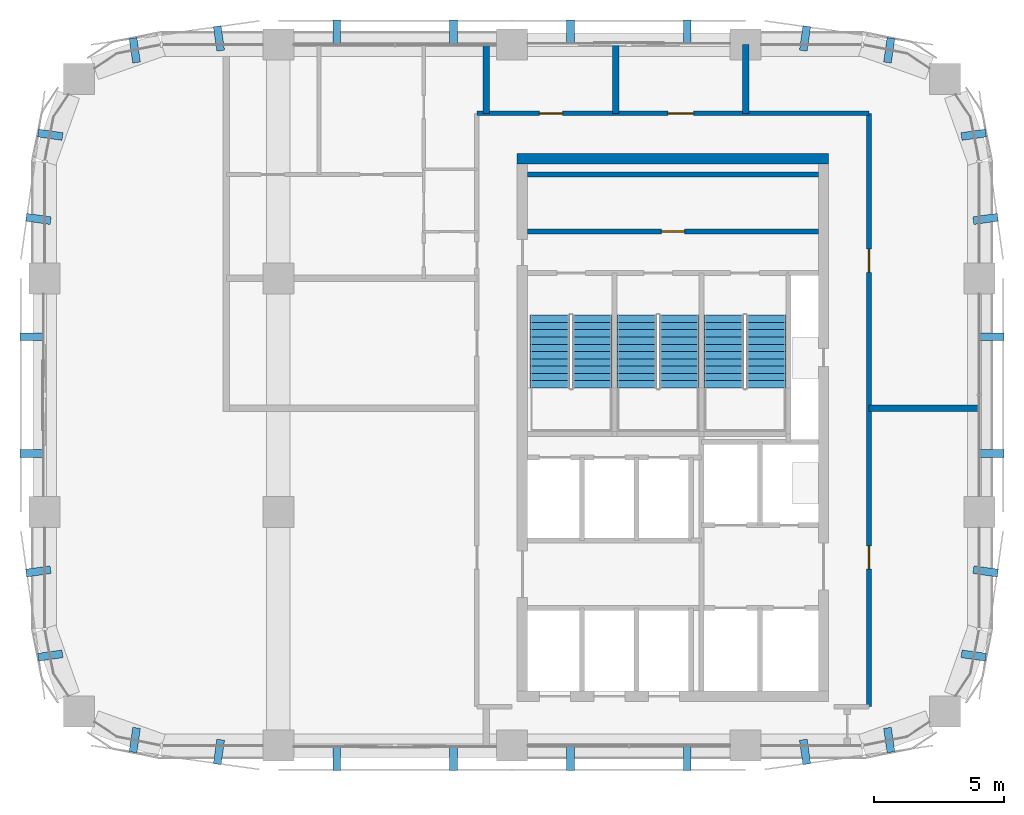
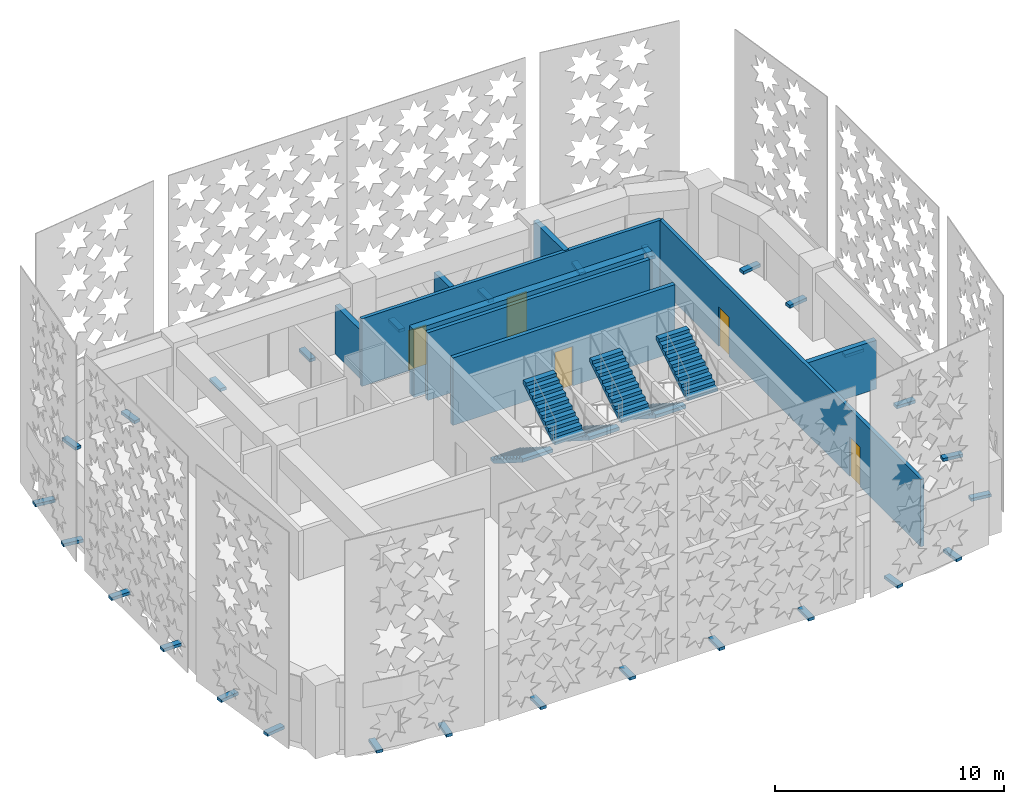
# One storey, part 9 of 15: 28 discrete accessories, 9 walls, 6 stair flights, 5 doors, 5 openings, 3 elements without a shape of their own.
"""IFC4 building model written with IfcOpenShell, lengths in metres."""

from ifc_helpers import new_model, si_unit, direction, frame, frame_2d, origin, origin_2d, place, context, subcontext, project, spatial, polyline, rectangle, outline, extrude, material, layer, layer_set, type_object, element, fill, aggregate, save


model = new_model("IFC4")

# Units and contexts
model_context = context("Model", 3, precision=1e-05, world=origin(), true_north=direction((0.0, 1.0)))
body_context = subcontext(model_context, "Body", "Model", "MODEL_VIEW")
ifc_project = project(units=[si_unit("LENGTHUNIT", "METRE"), si_unit("AREAUNIT", "SQUARE_METRE"), si_unit("VOLUMEUNIT", "CUBIC_METRE"), si_unit("PLANEANGLEUNIT", "RADIAN"), si_unit("MASSUNIT", "GRAM", prefix="KILO")], contexts=[model_context])

# Site, building, storey
site_placement = place(None, origin())
site = spatial("IfcSite", under=ifc_project, at=site_placement, CompositionType="ELEMENT")
building_placement = place(site_placement, origin())
building = spatial("IfcBuilding", under=site, at=building_placement, Name="Tessera Arch", CompositionType="ELEMENT")
storey_placement = place(building_placement, frame((0.0, 0.0, 257.89990234375)))
storey = spatial("IfcBuildingStorey", under=building, at=storey_placement, Name="L62", CompositionType="ELEMENT", Elevation=257.89990234375)

# Wall, opening, door
ifc_material_1 = material(Name="Gypsum board on steel stud", Category="steel")
ifc_layer_1 = layer(ifc_material_1, 0.125)
ifc_layer_set_1 = layer_set([ifc_layer_1], Name="Core partition 125 EI 60")
wall_type_1 = type_object("IfcWallType", Name="Core partition 125 EI 60", PredefinedType="PARTITIONING", material=ifc_layer_set_1)
wall_1_placement = place(storey_placement, frame((36.60009765625, 46.800048828125, 0.0), z_axis=(0.0, 0.0, 1.0), x_axis=(1.0, 0.0, 0.0)))
wall_1 = element("IfcWall", 1, at=wall_1_placement, inside=storey, type_object=wall_type_1, Name="L62 C1 partition wall 30", PredefinedType="PARTITIONING", context=body_context, shape_type="SweptSolid", body=[
    extrude(rectangle(XDim=11.199951171875, YDim=0.199951171875, at=frame_2d((5.60009765625, 0.0))), origin(), (0.0, 0.0, 1.0), 3.60009765625),
])
opening_1_placement = place(wall_1_placement, frame((5.14990234375, 0.0, 0.0)))
opening_1 = element("IfcOpeningElement", 2, at=opening_1_placement, cuts=wall_1, Name="Opening L62-C18", PredefinedType="OPENING", context=body_context, shape_type="SweptSolid", body=[
    extrude(rectangle(XDim=0.89990234375, YDim=2.10009765625, at=frame_2d((0.449951171875, 1.050048828125))), frame((0.0, 0.10986328125, 0.0), z_axis=(0.0, -1.0, 0.0), x_axis=(1.0, 0.0, 0.0)), (0.0, 0.0, 1.0), 0.219970703125),
])
ifc_material_2 = material(Name="Steel door leaf", Category="steel")
door_type_1 = type_object("IfcDoorType", Name="Store door FD30S 900 x 2100", OperationType="SINGLE_SWING_LEFT", PredefinedType="DOOR", material=ifc_material_2)
door_1_placement = place(opening_1_placement, origin())
door_1 = element("IfcDoor", 3, at=door_1_placement, inside=storey, type_object=door_type_1, Name="L62 C1 door 18 C18 type D09", OperationType="SINGLE_SWING_RIGHT", OverallHeight=2.10009765625, OverallWidth=0.89990234375, PredefinedType="DOOR", context=body_context, shape_type="SweptSolid", body=[
    extrude(rectangle(XDim=0.89990234375, YDim=2.10009765625, at=frame_2d((0.449951171875, 1.050048828125))), frame((0.0, 0.02490234375, 0.0), z_axis=(0.0, -1.0, 0.0), x_axis=(1.0, 0.0, 0.0)), (0.0, 0.0, 1.0), 0.050048828125),
])
fill(opening_1, door_1)

# Walls
wall_2_placement = place(storey_placement, frame((36.60009765625, 49.0, 0.0), z_axis=(0.0, 0.0, 1.0), x_axis=(1.0, 0.0, 0.0)))
element("IfcWall", 4, at=wall_2_placement, inside=storey, type_object=wall_type_1, Name="L62 C1 partition wall 31", PredefinedType="PARTITIONING", context=body_context, shape_type="SweptSolid", body=[
    extrude(rectangle(XDim=11.199951171875, YDim=0.199951171875, at=frame_2d((5.60009765625, 0.0))), origin(), (0.0, 0.0, 1.0), 3.60009765625),
])
ifc_material_3 = material(Name="Concrete C50/60", Category="concrete")
ifc_layer_2 = layer(ifc_material_3, 0.39990234375)
ifc_layer_set_2 = layer_set([ifc_layer_2], Name="Core shell wall 400 C50-60")
wall_type_2 = type_object("IfcWallType", Name="Core shell wall 400 C50-60", PredefinedType="SHEAR", material=ifc_layer_set_2)
wall_3_placement = place(storey_placement, frame((36.199951171875, 49.60009765625, 0.0), z_axis=(0.0, 0.0, 1.0), x_axis=(1.0, 0.0, 0.0)))
element("IfcWall", 5, at=wall_3_placement, inside=storey, type_object=wall_type_2, Name="L62 C1 core wall N", PredefinedType="SHEAR", context=body_context, shape_type="SweptSolid", body=[
    extrude(rectangle(XDim=12.0, YDim=0.39990234375, at=frame_2d((6.0, 0.0))), origin(), (0.0, 0.0, 1.0), 3.60009765625),
])

# Wall, openings, doors
ifc_material_4 = material(Name="Gypsum board on deep steel stud with mineral wool", Category="steel")
ifc_layer_3 = layer(ifc_material_4, 0.175048828125)
ifc_layer_set_3 = layer_set([ifc_layer_3], Name="Corridor wall 175 EI 60")
wall_type_3 = type_object("IfcWallType", Name="Corridor wall 175 EI 60", PredefinedType="PARTITIONING", material=ifc_layer_set_3)
wall_4_placement = place(storey_placement, frame((34.64990234375, 51.35009765625, 0.0), z_axis=(0.0, 0.0, 1.0), x_axis=(1.0, 0.0, 0.0)))
wall_4 = element("IfcWall", 6, at=wall_4_placement, inside=storey, type_object=wall_type_3, Name="L62 partition 3", PredefinedType="PARTITIONING", context=body_context, shape_type="SweptSolid", body=[
    extrude(rectangle(XDim=15.10009765625, YDim=0.175048828125, at=frame_2d((7.550048828125, 0.0))), origin(), (0.0, 0.0, 1.0), 3.60009765625),
])
opening_2_placement = place(wall_4_placement, frame((2.39990234375, 0.0, 0.0)))
opening_2 = element("IfcOpeningElement", 7, at=opening_2_placement, cuts=wall_4, Name="Opening L62-D012", PredefinedType="OPENING", context=body_context, shape_type="SweptSolid", body=[
    extrude(rectangle(XDim=0.89990234375, YDim=2.10009765625, at=frame_2d((0.449951171875, 1.050048828125))), frame((0.0, 0.097412109375, 0.0), z_axis=(0.0, -1.0, 0.0), x_axis=(1.0, 0.0, 0.0)), (0.0, 0.0, 1.0), 0.195068359375),
])
opening_3_placement = place(wall_4_placement, frame((7.35009765625, 0.0, 0.0)))
opening_3 = element("IfcOpeningElement", 8, at=opening_3_placement, cuts=wall_4, Name="Opening L62-D013", PredefinedType="OPENING", context=body_context, shape_type="SweptSolid", body=[
    extrude(rectangle(XDim=1.0, YDim=2.10009765625, at=frame_2d((0.5, 1.050048828125))), frame((0.0, 0.097412109375, 0.0), z_axis=(0.0, -1.0, 0.0), x_axis=(1.0, 0.0, 0.0)), (0.0, 0.0, 1.0), 0.195068359375),
])
ifc_material_5 = material(Name="Fire-rated door leaf")
door_type_2 = type_object("IfcDoorType", Name="Entrance door FD30S 1000 x 2100", OperationType="SINGLE_SWING_LEFT", PredefinedType="DOOR", material=ifc_material_5)
door_2_placement = place(opening_3_placement, origin())
door_2 = element("IfcDoor", 9, at=door_2_placement, inside=storey, type_object=door_type_2, Name="L62 door D013 type D03", OperationType="SINGLE_SWING_RIGHT", OverallHeight=2.10009765625, OverallWidth=1.0, PredefinedType="DOOR", context=body_context, shape_type="SweptSolid", body=[
    extrude(rectangle(XDim=1.0, YDim=2.10009765625, at=frame_2d((0.5, 1.050048828125))), frame((0.0, 0.02490234375, 0.0), z_axis=(0.0, -1.0, 0.0), x_axis=(1.0, 0.0, 0.0)), (0.0, 0.0, 1.0), 0.050048828125),
])
fill(opening_3, door_2)
ifc_material_6 = material(Name="Timber door leaf", Category="wood")
door_type_3 = type_object("IfcDoorType", Name="Room door 900 x 2100", OperationType="SINGLE_SWING_LEFT", PredefinedType="DOOR", material=ifc_material_6)
door_3_placement = place(opening_2_placement, origin())
door_3 = element("IfcDoor", 10, at=door_3_placement, inside=storey, type_object=door_type_3, Name="L62 door D012 type D01", OperationType="SINGLE_SWING_LEFT", OverallHeight=2.10009765625, OverallWidth=0.89990234375, PredefinedType="DOOR", context=body_context, shape_type="SweptSolid", body=[
    extrude(rectangle(XDim=0.89990234375, YDim=2.10009765625, at=frame_2d((0.449951171875, 1.050048828125))), frame((0.0, 0.02490234375, 0.0), z_axis=(0.0, -1.0, 0.0), x_axis=(1.0, 0.0, 0.0)), (0.0, 0.0, 1.0), 0.050048828125),
])
fill(opening_2, door_3)

wall_5_placement = place(storey_placement, frame((49.75, 28.5, 0.0), z_axis=(0.0, 0.0, 1.0), x_axis=(0.0, 1.0, 0.0)))
wall_5 = element("IfcWall", 11, at=wall_5_placement, inside=storey, type_object=wall_type_3, Name="L62 partition 5", PredefinedType="PARTITIONING", context=body_context, shape_type="SweptSolid", body=[
    extrude(rectangle(XDim=22.85009765625, YDim=0.175048828125, at=frame_2d((11.425048828125, 0.0))), origin(), (0.0, 0.0, 1.0), 3.60009765625),
])
opening_4_placement = place(wall_5_placement, frame((5.300048828125, 0.0, 0.0)))
opening_4 = element("IfcOpeningElement", 12, at=opening_4_placement, cuts=wall_5, Name="Opening L62-D001", PredefinedType="OPENING", context=body_context, shape_type="SweptSolid", body=[
    extrude(rectangle(XDim=0.89990234375, YDim=2.10009765625, at=frame_2d((0.449951171875, 1.050048828125))), frame((0.0, 0.097412109375, 0.0), z_axis=(0.0, -1.0, 0.0), x_axis=(1.0, 0.0, 0.0)), (0.0, 0.0, 1.0), 0.195068359375),
])
opening_5_placement = place(wall_5_placement, frame((16.72509765625, 0.0, 0.0)))
opening_5 = element("IfcOpeningElement", 13, at=opening_5_placement, cuts=wall_5, Name="Opening L62-D004", PredefinedType="OPENING", context=body_context, shape_type="SweptSolid", body=[
    extrude(rectangle(XDim=0.89990234375, YDim=2.10009765625, at=frame_2d((0.449951171875, 1.050048828125))), frame((0.0, 0.097412109375, 0.0), z_axis=(0.0, -1.0, 0.0), x_axis=(1.0, 0.0, 0.0)), (0.0, 0.0, 1.0), 0.195068359375),
])
door_4_placement = place(opening_4_placement, origin())
door_4 = element("IfcDoor", 14, at=door_4_placement, inside=storey, type_object=door_type_3, Name="L62 door D001 type D01", OperationType="SINGLE_SWING_LEFT", OverallHeight=2.10009765625, OverallWidth=0.89990234375, PredefinedType="DOOR", context=body_context, shape_type="SweptSolid", body=[
    extrude(rectangle(XDim=0.89990234375, YDim=2.10009765625, at=frame_2d((0.449951171875, 1.050048828125))), frame((0.0, 0.02490234375, 0.0), z_axis=(0.0, -1.0, 0.0), x_axis=(1.0, 0.0, 0.0)), (0.0, 0.0, 1.0), 0.050048828125),
])
fill(opening_4, door_4)
door_5_placement = place(opening_5_placement, origin())
door_5 = element("IfcDoor", 15, at=door_5_placement, inside=storey, type_object=door_type_3, Name="L62 door D004 type D01", OperationType="SINGLE_SWING_RIGHT", OverallHeight=2.10009765625, OverallWidth=0.89990234375, PredefinedType="DOOR", context=body_context, shape_type="SweptSolid", body=[
    extrude(rectangle(XDim=0.89990234375, YDim=2.10009765625, at=frame_2d((0.449951171875, 1.050048828125))), frame((0.0, 0.02490234375, 0.0), z_axis=(0.0, -1.0, 0.0), x_axis=(1.0, 0.0, 0.0)), (0.0, 0.0, 1.0), 0.050048828125),
])
fill(opening_5, door_5)

# Walls
ifc_material_7 = material(Name="Double gypsum board on twin steel stud with acoustic mineral wool", Category="steel")
ifc_layer_4 = layer(ifc_material_7, 0.25)
ifc_layer_set_4 = layer_set([ifc_layer_4], Name="Party wall 250 EI 60")
wall_type_4 = type_object("IfcWallType", Name="Party wall 250 EI 60", PredefinedType="PARTITIONING", material=ifc_layer_set_4)
wall_6_placement = place(storey_placement, frame((49.75, 40.0, 0.0), z_axis=(0.0, 0.0, 1.0), x_axis=(1.0, 0.0, 0.0)))
element("IfcWall", 16, at=wall_6_placement, inside=storey, type_object=wall_type_4, Name="L62 partition 11", PredefinedType="PARTITIONING", context=body_context, shape_type="SweptSolid", body=[
    extrude(rectangle(XDim=4.25, YDim=0.25, at=frame_2d((2.125, 0.0))), origin(), (0.0, 0.0, 1.0), 2.60009765625),
])
for number, where, z_axis, x_axis, name in (
    (17, (35.0, 51.35009765625, 0.0), (0.0, 0.0, 1.0), (0.0, 1.0, 0.0), "L62 partition 15"),
    (18, (40.0, 51.35009765625, 0.0), (0.0, 0.0, 1.0), (0.0, 1.0, 0.0), "L62 partition 16"),
):
    element("IfcWall", number, at=place(storey_placement, frame(where, z_axis=z_axis, x_axis=x_axis)), inside=storey, type_object=wall_type_4, Name=name, PredefinedType="PARTITIONING", context=body_context, shape_type="SweptSolid", body=[
        extrude(rectangle(XDim=2.64990234375, YDim=0.25, at=frame_2d((1.324951171875, 0.0))), origin(), (0.0, 0.0, 1.0), 2.60009765625),
    ])
wall_7_placement = place(storey_placement, frame((45.0, 51.35009765625, 0.0), z_axis=(0.0, 0.0, 1.0), x_axis=(0.0, 1.0, 0.0)))
element("IfcWall", 19, at=wall_7_placement, inside=storey, type_object=wall_type_4, Name="L62 partition 17", PredefinedType="PARTITIONING", context=body_context, shape_type="SweptSolid", body=[
    extrude(rectangle(XDim=2.64990234375, YDim=0.25, at=frame_2d((1.324951171875, 0.0))), origin(), (0.0, 0.0, 1.0), 3.60009765625),
])

# Stair, stair flights
ifc_material_8 = material(Name="Concrete C40/50", Category="concrete")
stair_type = type_object("IfcStairType", Name="Dogleg stair 1520", PredefinedType="HALF_TURN_STAIR", material=ifc_material_8)
stair_1_placement = place(storey_placement, origin())
stair_1 = element("IfcStair", 20, at=stair_1_placement, inside=storey, type_object=stair_type, Name="L62 S1a", PredefinedType="HALF_TURN_STAIR")
ifc_material_9 = material(Name="Concrete C40/50", Category="concrete")
stair_flight_type = type_object("IfcStairFlightType", Name="Stair flight 1520", PredefinedType="STRAIGHT", material=ifc_material_9)
stair_flight_1_placement = place(storey_placement, frame((37.4599609375, 43.580078125, 0.0), z_axis=(0.0, 0.0, 1.0), x_axis=(0.0, -1.0, 0.0)))
stair_flight_1 = element("IfcStairFlight", 21, at=stair_flight_1_placement, type_object=stair_flight_type, Name="S1a flight 1", NumberOfRisers=11, NumberOfTreads=10, PredefinedType="STRAIGHT", RiserHeight=0.177272727, TreadLength=0.28, context=body_context, shape_type="SweptSolid", body=[
    extrude(outline(polyline([(0.0, 0.0), (0.0, 0.17724609375), (0.280029296875, 0.17724609375), (0.280029296875, 0.3544921875), (0.56005859375, 0.3544921875), (0.56005859375, 0.53173828125), (0.840087890625, 0.53173828125), (0.840087890625, 0.708984375), (1.1201171875, 0.708984375), (1.1201171875, 0.886474609375), (1.39990234375, 0.886474609375), (1.39990234375, 1.063720703125), (1.679931640625, 1.063720703125), (1.679931640625, 1.240966796875), (1.9599609375, 1.240966796875), (1.9599609375, 1.418212890625), (2.239990234375, 1.418212890625), (2.239990234375, 1.595458984375), (2.52001953125, 1.595458984375), (2.52001953125, 1.772705078125), (2.800048828125, 1.772705078125), (2.800048828125, 1.949951171875), (2.800048828125, 1.59521484375), (0.2802734375, 0.0), (0.0, 0.0)])), frame((0.0, 0.760009765625, 0.0), z_axis=(0.0, -1.0, 0.0), x_axis=(1.0, 0.0, 0.0)), (0.0, 0.0, 1.0), 1.52001953125),
])
stair_flight_2_placement = place(storey_placement, frame((39.090087890625, 40.780029296875, 1.9501953125), z_axis=(0.0, 0.0, 1.0), x_axis=(0.0, 1.0, 0.0)))
stair_flight_2 = element("IfcStairFlight", 22, at=stair_flight_2_placement, type_object=stair_flight_type, Name="S1a flight 2", NumberOfRisers=11, NumberOfTreads=10, PredefinedType="STRAIGHT", RiserHeight=0.177272727, TreadLength=0.28, context=body_context, shape_type="SweptSolid", body=[
    extrude(outline(polyline([(0.0, 0.0), (0.0, 0.17724609375), (0.280029296875, 0.17724609375), (0.280029296875, 0.3544921875), (0.56005859375, 0.3544921875), (0.56005859375, 0.53173828125), (0.840087890625, 0.53173828125), (0.840087890625, 0.708984375), (1.1201171875, 0.708984375), (1.1201171875, 0.886474609375), (1.39990234375, 0.886474609375), (1.39990234375, 1.063720703125), (1.679931640625, 1.063720703125), (1.679931640625, 1.240966796875), (1.9599609375, 1.240966796875), (1.9599609375, 1.418212890625), (2.239990234375, 1.418212890625), (2.239990234375, 1.595458984375), (2.52001953125, 1.595458984375), (2.52001953125, 1.772705078125), (2.800048828125, 1.772705078125), (2.800048828125, 1.949951171875), (2.800048828125, 1.59521484375), (0.2802734375, 0.0), (0.0, 0.0)])), frame((0.0, 0.760009765625, 0.0), z_axis=(0.0, -1.0, 0.0), x_axis=(1.0, 0.0, 0.0)), (0.0, 0.0, 1.0), 1.52001953125),
])
aggregate(stair_1, [stair_flight_1, stair_flight_2])

stair_2_placement = place(storey_placement, origin())
stair_2 = element("IfcStair", 23, at=stair_2_placement, inside=storey, type_object=stair_type, Name="L62 S1b", PredefinedType="HALF_TURN_STAIR")
stair_flight_3_placement = place(storey_placement, frame((40.81005859375, 43.580078125, 0.0), z_axis=(0.0, 0.0, 1.0), x_axis=(0.0, -1.0, 0.0)))
stair_flight_3 = element("IfcStairFlight", 24, at=stair_flight_3_placement, type_object=stair_flight_type, Name="S1b flight 1", NumberOfRisers=11, NumberOfTreads=10, PredefinedType="STRAIGHT", RiserHeight=0.177272727, TreadLength=0.28, context=body_context, shape_type="SweptSolid", body=[
    extrude(outline(polyline([(0.0, 0.0), (0.0, 0.17724609375), (0.280029296875, 0.17724609375), (0.280029296875, 0.3544921875), (0.56005859375, 0.3544921875), (0.56005859375, 0.53173828125), (0.840087890625, 0.53173828125), (0.840087890625, 0.708984375), (1.1201171875, 0.708984375), (1.1201171875, 0.886474609375), (1.39990234375, 0.886474609375), (1.39990234375, 1.063720703125), (1.679931640625, 1.063720703125), (1.679931640625, 1.240966796875), (1.9599609375, 1.240966796875), (1.9599609375, 1.418212890625), (2.239990234375, 1.418212890625), (2.239990234375, 1.595458984375), (2.52001953125, 1.595458984375), (2.52001953125, 1.772705078125), (2.800048828125, 1.772705078125), (2.800048828125, 1.949951171875), (2.800048828125, 1.59521484375), (0.2802734375, 0.0), (0.0, 0.0)])), frame((0.0, 0.760009765625, 0.0), z_axis=(0.0, -1.0, 0.0), x_axis=(1.0, 0.0, 0.0)), (0.0, 0.0, 1.0), 1.52001953125),
])
stair_flight_4_placement = place(storey_placement, frame((42.43994140625, 40.780029296875, 1.9501953125), z_axis=(0.0, 0.0, 1.0), x_axis=(0.0, 1.0, 0.0)))
stair_flight_4 = element("IfcStairFlight", 25, at=stair_flight_4_placement, type_object=stair_flight_type, Name="S1b flight 2", NumberOfRisers=11, NumberOfTreads=10, PredefinedType="STRAIGHT", RiserHeight=0.177272727, TreadLength=0.28, context=body_context, shape_type="SweptSolid", body=[
    extrude(outline(polyline([(0.0, 0.0), (0.0, 0.17724609375), (0.280029296875, 0.17724609375), (0.280029296875, 0.3544921875), (0.56005859375, 0.3544921875), (0.56005859375, 0.53173828125), (0.840087890625, 0.53173828125), (0.840087890625, 0.708984375), (1.1201171875, 0.708984375), (1.1201171875, 0.886474609375), (1.39990234375, 0.886474609375), (1.39990234375, 1.063720703125), (1.679931640625, 1.063720703125), (1.679931640625, 1.240966796875), (1.9599609375, 1.240966796875), (1.9599609375, 1.418212890625), (2.239990234375, 1.418212890625), (2.239990234375, 1.595458984375), (2.52001953125, 1.595458984375), (2.52001953125, 1.772705078125), (2.800048828125, 1.772705078125), (2.800048828125, 1.949951171875), (2.800048828125, 1.59521484375), (0.2802734375, 0.0), (0.0, 0.0)])), frame((0.0, 0.760009765625, 0.0), z_axis=(0.0, -1.0, 0.0), x_axis=(1.0, 0.0, 0.0)), (0.0, 0.0, 1.0), 1.52001953125),
])
aggregate(stair_2, [stair_flight_3, stair_flight_4])

stair_3_placement = place(storey_placement, origin())
stair_3 = element("IfcStair", 26, at=stair_3_placement, inside=storey, type_object=stair_type, Name="L62 S1c", PredefinedType="HALF_TURN_STAIR")
stair_flight_5_placement = place(storey_placement, frame((44.159912109375, 43.580078125, 0.0), z_axis=(0.0, 0.0, 1.0), x_axis=(0.0, -1.0, 0.0)))
stair_flight_5 = element("IfcStairFlight", 27, at=stair_flight_5_placement, type_object=stair_flight_type, Name="S1c flight 1", NumberOfRisers=11, NumberOfTreads=10, PredefinedType="STRAIGHT", RiserHeight=0.177272727, TreadLength=0.28, context=body_context, shape_type="SweptSolid", body=[
    extrude(outline(polyline([(0.0, 0.0), (0.0, 0.17724609375), (0.280029296875, 0.17724609375), (0.280029296875, 0.3544921875), (0.56005859375, 0.3544921875), (0.56005859375, 0.53173828125), (0.840087890625, 0.53173828125), (0.840087890625, 0.708984375), (1.1201171875, 0.708984375), (1.1201171875, 0.886474609375), (1.39990234375, 0.886474609375), (1.39990234375, 1.063720703125), (1.679931640625, 1.063720703125), (1.679931640625, 1.240966796875), (1.9599609375, 1.240966796875), (1.9599609375, 1.418212890625), (2.239990234375, 1.418212890625), (2.239990234375, 1.595458984375), (2.52001953125, 1.595458984375), (2.52001953125, 1.772705078125), (2.800048828125, 1.772705078125), (2.800048828125, 1.949951171875), (2.800048828125, 1.59521484375), (0.2802734375, 0.0), (0.0, 0.0)])), frame((0.0, 0.760009765625, 0.0), z_axis=(0.0, -1.0, 0.0), x_axis=(1.0, 0.0, 0.0)), (0.0, 0.0, 1.0), 1.52001953125),
])
stair_flight_6_placement = place(storey_placement, frame((45.7900390625, 40.780029296875, 1.9501953125), z_axis=(0.0, 0.0, 1.0), x_axis=(0.0, 1.0, 0.0)))
stair_flight_6 = element("IfcStairFlight", 28, at=stair_flight_6_placement, type_object=stair_flight_type, Name="S1c flight 2", NumberOfRisers=11, NumberOfTreads=10, PredefinedType="STRAIGHT", RiserHeight=0.177272727, TreadLength=0.28, context=body_context, shape_type="SweptSolid", body=[
    extrude(outline(polyline([(0.0, 0.0), (0.0, 0.17724609375), (0.280029296875, 0.17724609375), (0.280029296875, 0.3544921875), (0.56005859375, 0.3544921875), (0.56005859375, 0.53173828125), (0.840087890625, 0.53173828125), (0.840087890625, 0.708984375), (1.1201171875, 0.708984375), (1.1201171875, 0.886474609375), (1.39990234375, 0.886474609375), (1.39990234375, 1.063720703125), (1.679931640625, 1.063720703125), (1.679931640625, 1.240966796875), (1.9599609375, 1.240966796875), (1.9599609375, 1.418212890625), (2.239990234375, 1.418212890625), (2.239990234375, 1.595458984375), (2.52001953125, 1.595458984375), (2.52001953125, 1.772705078125), (2.800048828125, 1.772705078125), (2.800048828125, 1.949951171875), (2.800048828125, 1.59521484375), (0.2802734375, 0.0), (0.0, 0.0)])), frame((0.0, 0.760009765625, 0.0), z_axis=(0.0, -1.0, 0.0), x_axis=(1.0, 0.0, 0.0)), (0.0, 0.0, 1.0), 1.52001953125),
])
aggregate(stair_3, [stair_flight_5, stair_flight_6])

# Discrete accessories
for number, where, z_axis, x_axis, name in (
    (29, (54.47509765625, 38.25, 0.0), (0.0, 0.0, 1.0), (1.0, 0.0, 0.0), "Screen panel bracket"),
    (30, (54.47509765625, 42.75, 0.0), (0.0, 0.0, 1.0), (1.0, 0.0, 0.0), "Screen panel bracket"),
    (31, (54.240966796875, 47.287109375, 0.0), (0.0, 0.0, 1.0), (0.99013890656, 0.140089063515, 0.0), "Screen panel bracket"),
    (32, (53.782470703125, 50.528076171875, 0.0), (0.0, 0.0, 1.0), (0.99013890656, 0.140089063515, 0.0), "Screen panel bracket"),
    (33, (50.528076171875, 53.782470703125, 0.0), (0.0, 0.0, 1.0), (0.140089063515, 0.99013890656, 0.0), "Screen panel bracket"),
    (34, (47.287109375, 54.240966796875, 0.0), (0.0, 0.0, 1.0), (0.140089063515, 0.99013890656, 0.0), "Screen panel bracket"),
    (35, (42.75, 54.47509765625, 0.0), (0.0, 0.0, 1.0), (0.0, 1.0, 0.0), "Screen panel bracket"),
    (36, (38.25, 54.47509765625, 0.0), (0.0, 0.0, 1.0), (0.0, 1.0, 0.0), "Screen panel bracket"),
    (37, (33.75, 54.47509765625, 0.0), (0.0, 0.0, 1.0), (0.0, 1.0, 0.0), "Screen panel bracket"),
    (38, (29.25, 54.47509765625, 0.0), (0.0, 0.0, 1.0), (0.0, 1.0, 0.0), "Screen panel bracket"),
    (39, (24.712890625, 54.240966796875, 0.0), (0.0, 0.0, 1.0), (-0.140089063515, 0.99013890656, 0.0), "Screen panel bracket"),
    (40, (21.471923828125, 53.782470703125, 0.0), (0.0, 0.0, 1.0), (-0.140089063515, 0.99013890656, 0.0), "Screen panel bracket"),
    (41, (18.217529296875, 50.528076171875, 0.0), (0.0, 0.0, 1.0), (-0.99013890656, 0.140089063515, 0.0), "Screen panel bracket"),
    (42, (17.759033203125, 47.287109375, 0.0), (0.0, 0.0, 1.0), (-0.99013890656, 0.140089063515, 0.0), "Screen panel bracket"),
    (43, (17.52490234375, 42.75, 0.0), (0.0, 0.0, 1.0), (-1.0, 0.0, 0.0), "Screen panel bracket"),
    (44, (17.52490234375, 38.25, 0.0), (0.0, 0.0, 1.0), (-1.0, 0.0, 0.0), "Screen panel bracket"),
    (45, (17.759033203125, 33.712890625, 0.0), (0.0, 0.0, 1.0), (-0.99013890656, -0.140089063515, 0.0), "Screen panel bracket"),
    (46, (18.217529296875, 30.471923828125, 0.0), (0.0, 0.0, 1.0), (-0.99013890656, -0.140089063515, 0.0), "Screen panel bracket"),
    (47, (21.471923828125, 27.217529296875, 0.0), (0.0, 0.0, 1.0), (-0.140089063515, -0.99013890656, 0.0), "Screen panel bracket"),
    (48, (24.712890625, 26.759033203125, 0.0), (0.0, 0.0, 1.0), (-0.140089063515, -0.99013890656, 0.0), "Screen panel bracket"),
    (49, (29.25, 26.52490234375, 0.0), (0.0, 0.0, 1.0), (0.0, -1.0, 0.0), "Screen panel bracket"),
    (50, (33.75, 26.52490234375, 0.0), (0.0, 0.0, 1.0), (0.0, -1.0, 0.0), "Screen panel bracket"),
    (51, (38.25, 26.52490234375, 0.0), (0.0, 0.0, 1.0), (0.0, -1.0, 0.0), "Screen panel bracket"),
    (52, (42.75, 26.52490234375, 0.0), (0.0, 0.0, 1.0), (0.0, -1.0, 0.0), "Screen panel bracket"),
    (53, (47.287109375, 26.759033203125, 0.0), (0.0, 0.0, 1.0), (0.140089063515, -0.99013890656, 0.0), "Screen panel bracket"),
    (54, (50.528076171875, 27.217529296875, 0.0), (0.0, 0.0, 1.0), (0.140089063515, -0.99013890656, 0.0), "Screen panel bracket"),
    (55, (53.782470703125, 30.471923828125, 0.0), (0.0, 0.0, 1.0), (0.99013890656, -0.140089063515, 0.0), "Screen panel bracket"),
    (56, (54.240966796875, 33.712890625, 0.0), (0.0, 0.0, 1.0), (0.99013890656, -0.140089063515, 0.0), "Screen panel bracket"),
):
    element("IfcDiscreteAccessory", number, at=place(storey_placement, frame(where, z_axis=z_axis, x_axis=x_axis)), inside=storey, Name=name, PredefinedType="BRACKET", context=body_context, shape_type="SweptSolid", body=[
        extrude(rectangle(XDim=0.949951171875, YDim=0.300048828125, at=origin_2d()), origin(), (0.0, 0.0, 1.0), 0.159912109375),
    ])

save(model, "model.ifc")
